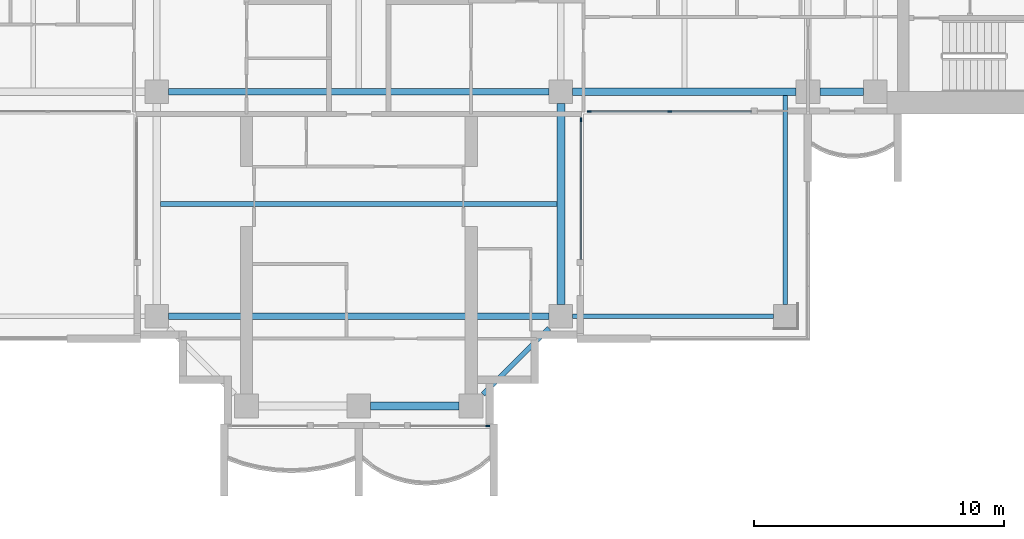
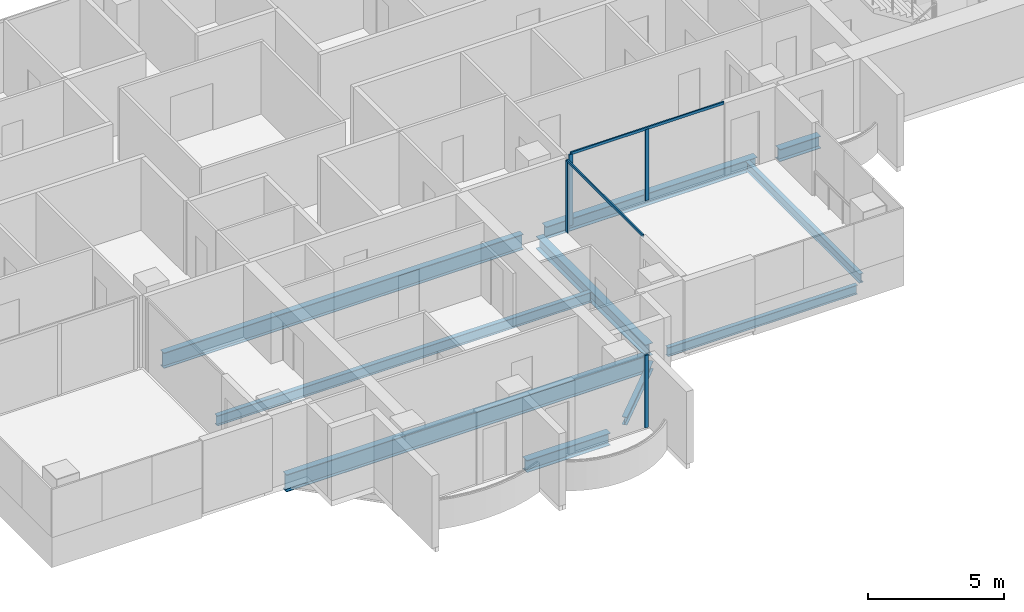
# One storey, part 3 of 17: 10 beams, 6 members, 3 elements without a shape of their own.
"""IFC4 building model written with IfcOpenShell, lengths in metres."""

from ifc_helpers import new_model, si_unit, direction, frame, origin, origin_2d, place, context, subcontext, project, spatial, rectangle, i_section, extrude, material, material_profile, profile_set, type_object, element, aggregate, save


model = new_model("IFC4")

# Units and contexts
model_context = context("Model", 3, precision=1e-05, world=origin(), true_north=direction((0.0, 1.0)))
body_context = subcontext(model_context, "Body", "Model", "MODEL_VIEW")
ifc_project = project(units=[si_unit("LENGTHUNIT", "METRE"), si_unit("AREAUNIT", "SQUARE_METRE"), si_unit("VOLUMEUNIT", "CUBIC_METRE"), si_unit("PLANEANGLEUNIT", "RADIAN"), si_unit("MASSUNIT", "GRAM", prefix="KILO")], contexts=[model_context])

# Site, building, storey
site_placement = place(None, origin())
site = spatial("IfcSite", under=ifc_project, at=site_placement, CompositionType="ELEMENT")
building_placement = place(site_placement, origin())
building = spatial("IfcBuilding", under=site, at=building_placement, Name="Perihelion Cross Residences", CompositionType="ELEMENT")
storey_placement = place(building_placement, frame((0.0, 0.0, 212.10009765625)))
storey = spatial("IfcBuildingStorey", under=building, at=storey_placement, Name="L53", CompositionType="ELEMENT", Elevation=212.10009765625)

# Curtain wall, member
ifc_material_1 = material(Name="Bronze anodised aluminium, tinted glazing", Category="aluminium")
curtain_wall_type = type_object("IfcCurtainWallType", Name="CW1", PredefinedType="NOTDEFINED", material=ifc_material_1)
curtain_wall_1_placement = place(storey_placement, origin())
curtain_wall_1 = element("IfcCurtainWall", 1, at=curtain_wall_1_placement, inside=storey, type_object=curtain_wall_type, Name="Curtain wall CW1 L53 south tip south bay 2", PredefinedType="NOTDEFINED")
ifc_material_2 = material(Name="Bronze anodised aluminium", Category="aluminium")
ifc_material_profile_1 = material_profile(ifc_material_2, rectangle(XDim=0.06005859375, YDim=0.159912109375, at=origin_2d()), Name="CW1 mullion")
ifc_profile_set_1 = profile_set([ifc_material_profile_1], Name="Bronze anodised aluminium")
member_type_1 = type_object("IfcMemberType", Name="CW1 mullion", PredefinedType="MULLION", material=ifc_profile_set_1)
member_1_placement = place(storey_placement, frame((5.169921875, -21.5, 0.0), z_axis=(0.0, 0.0, 1.0), x_axis=(0.0, 1.0, 0.0)))
member_1 = element("IfcMember", 2, at=member_1_placement, type_object=member_type_1, Name="CW1 mullion 2", PredefinedType="MULLION", context=body_context, shape_type="SweptSolid", body=[
    extrude(rectangle(XDim=0.06005859375, YDim=0.159912109375, at=origin_2d()), origin(), (0.0, 0.0, 1.0), 3.25),
])
aggregate(curtain_wall_1, [member_1])

curtain_wall_2_placement = place(storey_placement, origin())
curtain_wall_2 = element("IfcCurtainWall", 3, at=curtain_wall_2_placement, inside=storey, type_object=curtain_wall_type, Name="Curtain wall CW1 L53 south side east bay 1", PredefinedType="NOTDEFINED")
member_2_placement = place(storey_placement, frame((8.89990234375, -9.22998046875, 0.0), z_axis=(0.0, 0.0, 1.0), x_axis=(-1.0, 0.0, 0.0)))
member_2 = element("IfcMember", 4, at=member_2_placement, type_object=member_type_1, Name="CW1 mullion 2", PredefinedType="MULLION", context=body_context, shape_type="SweptSolid", body=[
    extrude(rectangle(XDim=0.06005859375, YDim=0.159912109375, at=origin_2d()), origin(), (0.0, 0.0, 1.0), 3.18994140625),
])

# Curtain wall, members
curtain_wall_3_placement = place(storey_placement, origin())
curtain_wall_3 = element("IfcCurtainWall", 5, at=curtain_wall_3_placement, inside=storey, type_object=curtain_wall_type, Name="Curtain wall CW1 L53 east side south bay 1", PredefinedType="NOTDEFINED")
member_3_placement = place(storey_placement, frame((9.22998046875, -8.89990234375, 0.0), z_axis=(0.0, 0.0, 1.0), x_axis=(0.0, 1.0, 0.0)))
member_3 = element("IfcMember", 6, at=member_3_placement, type_object=member_type_1, Name="CW1 mullion 1", PredefinedType="MULLION", context=body_context, shape_type="SweptSolid", body=[
    extrude(rectangle(XDim=0.06005859375, YDim=0.159912109375, at=origin_2d()), origin(), (0.0, 0.0, 1.0), 3.18994140625),
])
member_4_placement = place(storey_placement, frame((12.46240234375, -8.89990234375, 0.0), z_axis=(0.0, 0.0, 1.0), x_axis=(0.0, 1.0, 0.0)))
member_4 = element("IfcMember", 7, at=member_4_placement, type_object=member_type_1, Name="CW1 mullion 2", PredefinedType="MULLION", context=body_context, shape_type="SweptSolid", body=[
    extrude(rectangle(XDim=0.06005859375, YDim=0.159912109375, at=origin_2d()), origin(), (0.0, 0.0, 1.0), 3.18994140625),
])

# Member
ifc_material_3 = material(Name="Bronze anodised aluminium", Category="aluminium")
ifc_material_profile_2 = material_profile(ifc_material_3, rectangle(XDim=0.06005859375, YDim=0.1201171875, at=origin_2d()), Name="CW1 transom")
ifc_profile_set_2 = profile_set([ifc_material_profile_2], Name="Bronze anodised aluminium")
member_type_2 = type_object("IfcMemberType", Name="CW1 transom", PredefinedType="USERDEFINED", material=ifc_profile_set_2)
member_5_placement = place(storey_placement, frame((8.89990234375, -14.824951171875, 3.219970703125), z_axis=(0.0, 1.0, 0.0), x_axis=(-1.0, 0.0, 0.0)))
member_5 = element("IfcMember", 8, at=member_5_placement, type_object=member_type_2, Name="CW1 head transom", ObjectType="TRANSOM", PredefinedType="USERDEFINED", context=body_context, shape_type="SweptSolid", body=[
    extrude(rectangle(XDim=0.06005859375, YDim=0.1201171875, at=origin_2d()), origin(), (0.0, 0.0, 1.0), 5.594970703125),
])

aggregate(curtain_wall_2, [member_2, member_5])

member_6_placement = place(storey_placement, frame((9.22998046875, -8.89990234375, 3.219970703125), z_axis=(1.0, 0.0, 0.0), x_axis=(0.0, 1.0, 0.0)))
member_6 = element("IfcMember", 9, at=member_6_placement, type_object=member_type_2, Name="CW1 head transom", ObjectType="TRANSOM", PredefinedType="USERDEFINED", context=body_context, shape_type="SweptSolid", body=[
    extrude(rectangle(XDim=0.06005859375, YDim=0.1201171875, at=origin_2d()), origin(), (0.0, 0.0, 1.0), 6.4951171875),
])

aggregate(curtain_wall_3, [member_3, member_4, member_6])

# Beams
ifc_material_4 = material(Name="Steel S355", Category="steel")
ifc_material_profile_3 = material_profile(ifc_material_4, i_section(OverallWidth=0.177978515625, OverallDepth=0.406005859375, WebThickness=0.0078125, FlangeThickness=0.0126953125, at=origin_2d()), Name="W410x60")
ifc_profile_set_3 = profile_set([ifc_material_profile_3], Name="Steel S355")
beam_type_1 = type_object("IfcBeamType", Name="Core edge beam W410x60", PredefinedType="BEAM", material=ifc_profile_set_3)
beam_1_placement = place(storey_placement, frame((17.10009765625, -8.256103515625, -0.453125), z_axis=(0.0, -1.0, 0.0), x_axis=(1.0, 0.0, 0.0)))
element("IfcBeam", 10, at=beam_1_placement, inside=storey, type_object=beam_type_1, Name="Core edge beam TB2 L53 corner no. 3", PredefinedType="BEAM", context=body_context, shape_type="SweptSolid", body=[
    extrude(i_section(OverallWidth=0.177978515625, OverallDepth=0.406005859375, WebThickness=0.0078125, FlangeThickness=0.0126953125, at=origin_2d()), origin(), (0.0, 0.0, 1.0), 8.368896484375),
])
beam_2_placement = place(storey_placement, frame((8.574951171875, -17.10009765625, -0.453125), z_axis=(1.0, 0.0, 0.0), x_axis=(0.0, 1.0, 0.0)))
element("IfcBeam", 11, at=beam_2_placement, inside=storey, type_object=beam_type_1, Name="Core edge beam TB2 L53 corner no. 4", PredefinedType="BEAM", context=body_context, shape_type="SweptSolid", body=[
    extrude(i_section(OverallWidth=0.177978515625, OverallDepth=0.406005859375, WebThickness=0.0078125, FlangeThickness=0.0126953125, at=origin_2d()), origin(), (0.0, 0.0, 1.0), 8.050048828125),
])
ifc_material_5 = material(Name="Steel S355", Category="steel")
ifc_material_profile_4 = material_profile(ifc_material_5, i_section(OverallWidth=0.31201171875, OverallDepth=0.5439453125, WebThickness=0.0126953125, FlangeThickness=0.020263671875, at=origin_2d()), Name="W530x150")
ifc_profile_set_4 = profile_set([ifc_material_profile_4], Name="Steel S355")
beam_type_2 = type_object("IfcBeamType", Name="Edge beam W530x150", PredefinedType="SPANDREL", material=ifc_profile_set_4)
beam_3_placement = place(storey_placement, frame((0.47509765625, -20.699951171875, -0.522216796875), z_axis=(1.0, 0.0, 0.0), x_axis=(0.0, 1.0, 0.0)))
element("IfcBeam", 12, at=beam_3_placement, inside=storey, type_object=beam_type_2, Name="Edge beam SB4 L53 no. 7", PredefinedType="SPANDREL", context=body_context, shape_type="SweptSolid", body=[
    extrude(i_section(OverallWidth=0.31201171875, OverallDepth=0.5439453125, WebThickness=0.0126953125, FlangeThickness=0.020263671875, at=origin_2d()), origin(), (0.0, 0.0, 1.0), 3.5498046875),
])
beam_4_placement = place(storey_placement, frame((8.10009765625, -16.625, -0.522216796875), z_axis=(0.0, 1.0, 0.0), x_axis=(-1.0, 0.0, 0.0)))
element("IfcBeam", 13, at=beam_4_placement, inside=storey, type_object=beam_type_2, Name="Edge beam SB4 L53 no. 11", PredefinedType="SPANDREL", context=body_context, shape_type="SweptSolid", body=[
    extrude(i_section(OverallWidth=0.31201171875, OverallDepth=0.5439453125, WebThickness=0.0126953125, FlangeThickness=0.020263671875, at=origin_2d()), origin(), (0.0, 0.0, 1.0), 8.050048828125),
])
beam_5_placement = place(storey_placement, frame((8.574951171875, -8.10009765625, -0.522216796875), z_axis=(1.0, 0.0, 0.0), x_axis=(0.0, 1.0, 0.0)))
element("IfcBeam", 14, at=beam_5_placement, inside=storey, type_object=beam_type_2, Name="Edge beam SB4 L53 no. 12", PredefinedType="SPANDREL", context=body_context, shape_type="SweptSolid", body=[
    extrude(i_section(OverallWidth=0.31201171875, OverallDepth=0.5439453125, WebThickness=0.0126953125, FlangeThickness=0.020263671875, at=origin_2d()), origin(), (0.0, 0.0, 1.0), 8.949951171875),
])
beam_6_placement = place(storey_placement, frame((18.47509765625, -8.10009765625, -0.522216796875), z_axis=(1.0, 0.0, 0.0), x_axis=(0.0, 1.0, 0.0)))
element("IfcBeam", 15, at=beam_6_placement, inside=storey, type_object=beam_type_2, Name="Edge beam SB4 L53 no. 8", PredefinedType="SPANDREL", context=body_context, shape_type="SweptSolid", body=[
    extrude(i_section(OverallWidth=0.31201171875, OverallDepth=0.5439453125, WebThickness=0.0126953125, FlangeThickness=0.020263671875, at=origin_2d()), origin(), (0.0, 0.0, 1.0), 1.75),
])
ifc_material_6 = material(Name="Steel S355", Category="steel")
ifc_material_profile_5 = material_profile(ifc_material_6, i_section(OverallWidth=0.26708984375, OverallDepth=0.77001953125, WebThickness=0.015625, FlangeThickness=0.025390625, at=origin_2d()), Name="W760x196")
ifc_profile_set_5 = profile_set([ifc_material_profile_5], Name="Steel S355")
beam_type_3 = type_object("IfcBeamType", Name="Floor girder W760x196", PredefinedType="BEAM", material=ifc_profile_set_5)
beam_7_placement = place(storey_placement, frame((-7.625, -17.10009765625, -0.635009765625), z_axis=(1.0, 0.0, 0.0), x_axis=(0.0, 1.0, 0.0)))
element("IfcBeam", 16, at=beam_7_placement, inside=storey, type_object=beam_type_3, Name="Girder G4 L53 no. 3", PredefinedType="BEAM", context=body_context, shape_type="SweptSolid", body=[
    extrude(i_section(OverallWidth=0.26708984375, OverallDepth=0.77001953125, WebThickness=0.015625, FlangeThickness=0.025390625, at=origin_2d()), origin(), (0.0, 0.0, 1.0), 15.25),
])
ifc_material_7 = material(Name="Steel S355", Category="steel")
ifc_material_profile_6 = material_profile(ifc_material_7, i_section(OverallWidth=0.19091796875, OverallDepth=0.45703125, WebThickness=0.009033203125, FlangeThickness=0.014404296875, at=origin_2d()), Name="W460x74")
ifc_profile_set_6 = profile_set([ifc_material_profile_6], Name="Steel S355")
beam_type_4 = type_object("IfcBeamType", Name="Floor joist W460x74", PredefinedType="JOIST", material=ifc_profile_set_6)
beam_8_placement = place(storey_placement, frame((-7.944091796875, -12.60009765625, -0.478515625), z_axis=(1.0, 0.0, 0.0), x_axis=(0.0, 1.0, 0.0)))
element("IfcBeam", 17, at=beam_8_placement, inside=storey, type_object=beam_type_4, Name="Joist J5 L53 no. 3", PredefinedType="JOIST", context=body_context, shape_type="SweptSolid", body=[
    extrude(i_section(OverallWidth=0.19091796875, OverallDepth=0.45703125, WebThickness=0.009033203125, FlangeThickness=0.014404296875, at=origin_2d()), origin(), (0.0, 0.0, 1.0), 15.88818359375),
])
ifc_material_8 = material(Name="Steel S355", Category="steel")
ifc_material_profile_7 = material_profile(ifc_material_8, i_section(OverallWidth=0.257080078125, OverallDepth=0.693115234375, WebThickness=0.014404296875, FlangeThickness=0.023681640625, at=origin_2d()), Name="W690x170")
ifc_profile_set_7 = profile_set([ifc_material_profile_7], Name="Steel S355")
beam_type_5 = type_object("IfcBeamType", Name="Hub ring girder W690x170", PredefinedType="BEAM", material=ifc_profile_set_7)
beam_9_placement = place(storey_placement, frame((-7.625, -8.10009765625, -0.5966796875), z_axis=(1.0, 0.0, 0.0), x_axis=(0.0, 1.0, 0.0)))
element("IfcBeam", 18, at=beam_9_placement, inside=storey, type_object=beam_type_5, Name="Hub ring girder RG4 L53 no. 1", PredefinedType="BEAM", context=body_context, shape_type="SweptSolid", body=[
    extrude(i_section(OverallWidth=0.257080078125, OverallDepth=0.693115234375, WebThickness=0.014404296875, FlangeThickness=0.023681640625, at=origin_2d()), origin(), (0.0, 0.0, 1.0), 15.25),
])
ifc_material_9 = material(Name="Steel S355", Category="steel")
ifc_material_profile_8 = material_profile(ifc_material_9, i_section(OverallWidth=0.205078125, OverallDepth=0.35302734375, WebThickness=0.009521484375, FlangeThickness=0.016845703125, at=origin_2d()), Name="W360x79")
ifc_profile_set_8 = profile_set([ifc_material_profile_8], Name="Steel S355")
beam_type_6 = type_object("IfcBeamType", Name="Serration edge beam W360x79", PredefinedType="BEAM", material=ifc_profile_set_8)
beam_10_placement = place(storey_placement, frame((4.97509765625, -20.22509765625, -0.426513671875), z_axis=(0.70707420838, 0.707139352493, 0.0), x_axis=(-0.707139352493, 0.70707420838, 0.0)))
element("IfcBeam", 19, at=beam_10_placement, inside=storey, type_object=beam_type_6, Name="Serration edge beam EB4 L53 no. 2", PredefinedType="BEAM", context=body_context, shape_type="SweptSolid", body=[
    extrude(i_section(OverallWidth=0.205078125, OverallDepth=0.35302734375, WebThickness=0.009521484375, FlangeThickness=0.016845703125, at=origin_2d()), origin(), (0.0, 0.0, 1.0), 3.747802734375),
])

save(model, "model.ifc")
